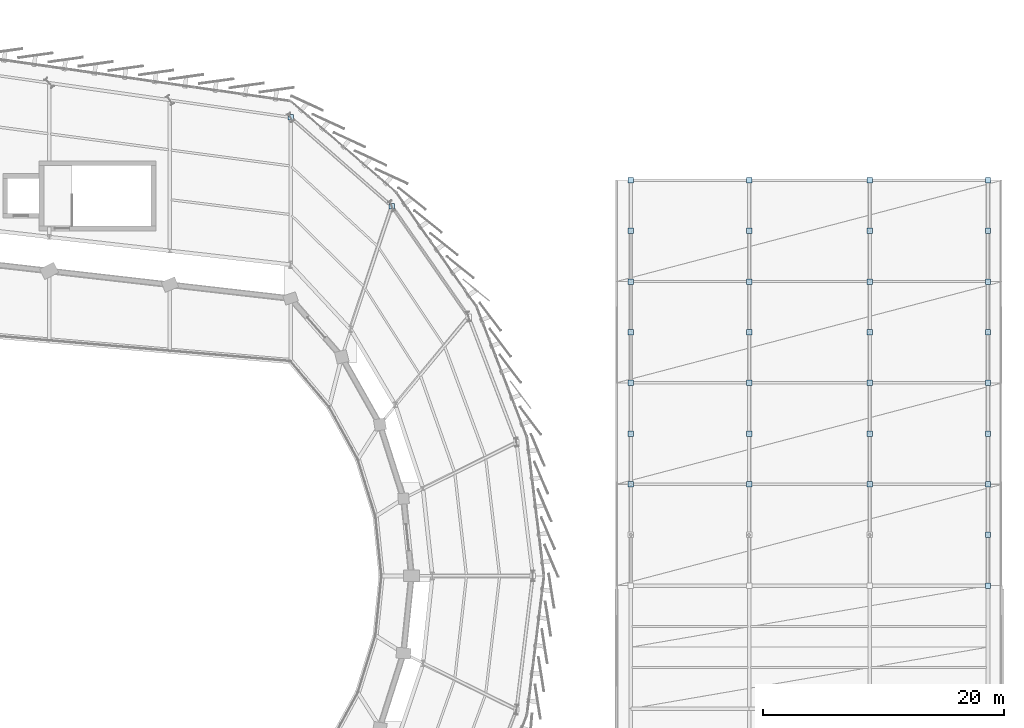
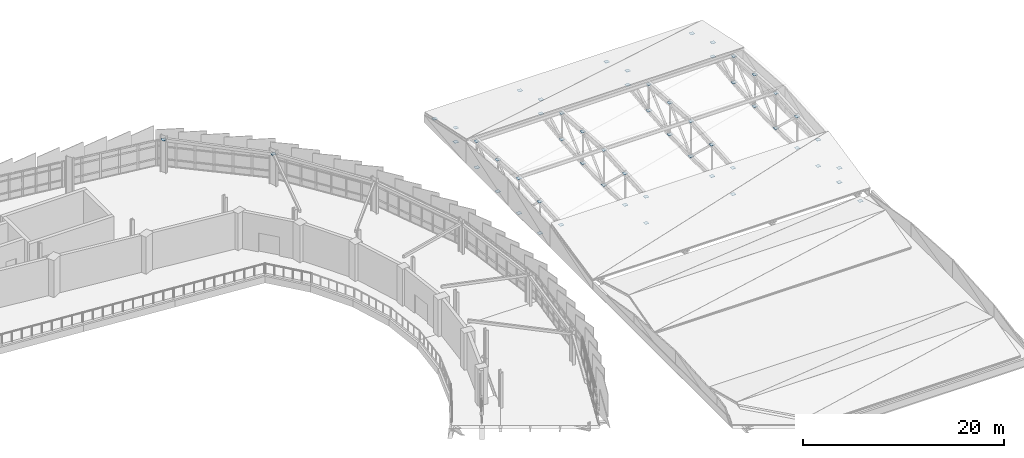
# One storey, part 73 of 87: 56 plates.
"""IFC4 building model written with IfcOpenShell, lengths in metres."""

from ifc_helpers import new_model, si_unit, direction, frame, origin, origin_2d, place, context, subcontext, project, spatial, rectangle, extrude, material, layer, layer_set, type_object, element, save


model = new_model("IFC4")

# Units and contexts
model_context = context("Model", 3, precision=1e-05, world=origin(), true_north=direction((0.0, 1.0)))
body_context = subcontext(model_context, "Body", "Model", "MODEL_VIEW")
ifc_project = project(units=[si_unit("LENGTHUNIT", "METRE"), si_unit("AREAUNIT", "SQUARE_METRE"), si_unit("VOLUMEUNIT", "CUBIC_METRE"), si_unit("PLANEANGLEUNIT", "RADIAN"), si_unit("MASSUNIT", "GRAM", prefix="KILO")], contexts=[model_context])

# Site, building, storey
site_placement = place(None, origin())
site = spatial("IfcSite", under=ifc_project, at=site_placement, CompositionType="ELEMENT")
building_placement = place(site_placement, origin())
building = spatial("IfcBuilding", under=site, at=building_placement, Name="Sohan Crest Arena", CompositionType="ELEMENT")
storey_placement = place(building_placement, frame((0.0, 0.0, 18.0)))
storey = spatial("IfcBuildingStorey", under=building, at=storey_placement, Name="L04", CompositionType="ELEMENT", Elevation=18.0)

# Plates
ifc_material = material(Name="Steel S355", Category="steel")
ifc_layer = layer(ifc_material, 0.031982421875, Name="Steel S355")
ifc_layer_set = layer_set([ifc_layer], Name="Steel S355")
plate_type = type_object("IfcPlateType", Name="STR-PL-BP01", PredefinedType="USERDEFINED", material=ifc_layer_set)
for number, where, z_axis, x_axis, name in (
    (1, (176.383056640625, 108.64501953125, 3.762451171875), (0.0, 0.0, 1.0), (1.0, 0.0, 0.0), "Hollow section end cap plate ECP-0195"),
    (2, (168.0, 116.0, 3.986572265625), (0.0, 0.0, 1.0), (1.0, 0.0, 0.0), "Hollow section end cap plate ECP-0196"),
    (3, (196.199951171875, 85.60009765625, 2.157470703125), (0.0, 0.0, 1.0), (1.0, 0.0, 0.0), "Hollow section end cap plate ECP-0217"),
    (4, (196.199951171875, 89.800048828125, -1.396484375), (0.0, 0.0, 1.0), (1.0, 0.0, 0.0), "Hollow section end cap plate ECP-0218"),
    (5, (196.199951171875, 89.800048828125, 2.45751953125), (0.0, 0.0, 1.0), (1.0, 0.0, 0.0), "Hollow section end cap plate ECP-0219"),
    (6, (196.199951171875, 94.0, -1.512451171875), (0.0, 0.0, 1.0), (1.0, 0.0, 0.0), "Hollow section end cap plate ECP-0220"),
    (7, (196.199951171875, 94.0, 2.757568359375), (0.0, 0.0, 1.0), (1.0, 0.0, 0.0), "Hollow section end cap plate ECP-0221"),
    (8, (196.199951171875, 98.199951171875, 2.45751953125), (0.0, 0.0, 1.0), (1.0, 0.0, 0.0), "Hollow section end cap plate ECP-0222"),
    (9, (196.199951171875, 98.199951171875, -1.396484375), (0.0, 0.0, 1.0), (1.0, 0.0, 0.0), "Hollow section end cap plate ECP-0223"),
    (10, (196.199951171875, 102.39990234375, 2.157470703125), (0.0, 0.0, 1.0), (1.0, 0.0, 0.0), "Hollow section end cap plate ECP-0224"),
    (11, (196.199951171875, 102.39990234375, -1.049560546875), (0.0, 0.0, 1.0), (1.0, 0.0, 0.0), "Hollow section end cap plate ECP-0225"),
    (12, (196.199951171875, 106.60009765625, 1.257568359375), (0.0, 0.0, 1.0), (1.0, 0.0, 0.0), "Hollow section end cap plate ECP-0226"),
    (13, (196.199951171875, 106.60009765625, -0.471435546875), (0.0, 0.0, 1.0), (1.0, 0.0, 0.0), "Hollow section end cap plate ECP-0227"),
    (14, (196.199951171875, 110.800048828125, -0.202392578125), (0.0, 0.0, 1.0), (1.0, 0.0, 0.0), "Hollow section end cap plate ECP-0228"),
    (15, (206.0, 85.60009765625, -1.049560546875), (0.0, 0.0, 1.0), (1.0, 0.0, 0.0), "Hollow section end cap plate ECP-0232"),
    (16, (206.0, 85.60009765625, 2.157470703125), (0.0, 0.0, 1.0), (1.0, 0.0, 0.0), "Hollow section end cap plate ECP-0233"),
    (17, (206.0, 89.800048828125, -1.396484375), (0.0, 0.0, 1.0), (1.0, 0.0, 0.0), "Hollow section end cap plate ECP-0234"),
    (18, (206.0, 89.800048828125, 2.45751953125), (0.0, 0.0, 1.0), (1.0, 0.0, 0.0), "Hollow section end cap plate ECP-0235"),
    (19, (206.0, 94.0, -1.512451171875), (0.0, 0.0, 1.0), (1.0, 0.0, 0.0), "Hollow section end cap plate ECP-0236"),
    (20, (206.0, 94.0, 2.757568359375), (0.0, 0.0, 1.0), (1.0, 0.0, 0.0), "Hollow section end cap plate ECP-0237"),
    (21, (206.0, 98.199951171875, 2.45751953125), (0.0, 0.0, 1.0), (1.0, 0.0, 0.0), "Hollow section end cap plate ECP-0238"),
    (22, (206.0, 98.199951171875, -1.396484375), (0.0, 0.0, 1.0), (1.0, 0.0, 0.0), "Hollow section end cap plate ECP-0239"),
    (23, (206.0, 102.39990234375, 2.157470703125), (0.0, 0.0, 1.0), (1.0, 0.0, 0.0), "Hollow section end cap plate ECP-0240"),
    (24, (206.0, 102.39990234375, -1.049560546875), (0.0, 0.0, 1.0), (1.0, 0.0, 0.0), "Hollow section end cap plate ECP-0241"),
    (25, (206.0, 106.60009765625, 1.257568359375), (0.0, 0.0, 1.0), (1.0, 0.0, 0.0), "Hollow section end cap plate ECP-0242"),
    (26, (206.0, 106.60009765625, -0.471435546875), (0.0, 0.0, 1.0), (1.0, 0.0, 0.0), "Hollow section end cap plate ECP-0243"),
    (27, (206.0, 110.800048828125, -0.202392578125), (0.0, 0.0, 1.0), (1.0, 0.0, 0.0), "Hollow section end cap plate ECP-0244"),
    (28, (216.0, 85.60009765625, -1.049560546875), (0.0, 0.0, 1.0), (1.0, 0.0, 0.0), "Hollow section end cap plate ECP-0248"),
    (29, (216.0, 85.60009765625, 2.157470703125), (0.0, 0.0, 1.0), (1.0, 0.0, 0.0), "Hollow section end cap plate ECP-0249"),
    (30, (216.0, 89.800048828125, -1.396484375), (0.0, 0.0, 1.0), (1.0, 0.0, 0.0), "Hollow section end cap plate ECP-0250"),
    (31, (216.0, 89.800048828125, 2.45751953125), (0.0, 0.0, 1.0), (1.0, 0.0, 0.0), "Hollow section end cap plate ECP-0251"),
    (32, (216.0, 94.0, -1.512451171875), (0.0, 0.0, 1.0), (1.0, 0.0, 0.0), "Hollow section end cap plate ECP-0252"),
    (33, (216.0, 94.0, 2.757568359375), (0.0, 0.0, 1.0), (1.0, 0.0, 0.0), "Hollow section end cap plate ECP-0253"),
    (34, (216.0, 98.199951171875, 2.45751953125), (0.0, 0.0, 1.0), (1.0, 0.0, 0.0), "Hollow section end cap plate ECP-0254"),
    (35, (216.0, 98.199951171875, -1.396484375), (0.0, 0.0, 1.0), (1.0, 0.0, 0.0), "Hollow section end cap plate ECP-0255"),
    (36, (216.0, 102.39990234375, 2.157470703125), (0.0, 0.0, 1.0), (1.0, 0.0, 0.0), "Hollow section end cap plate ECP-0256"),
    (37, (216.0, 102.39990234375, -1.049560546875), (0.0, 0.0, 1.0), (1.0, 0.0, 0.0), "Hollow section end cap plate ECP-0257"),
    (38, (216.0, 106.60009765625, 1.257568359375), (0.0, 0.0, 1.0), (1.0, 0.0, 0.0), "Hollow section end cap plate ECP-0258"),
    (39, (216.0, 106.60009765625, -0.471435546875), (0.0, 0.0, 1.0), (1.0, 0.0, 0.0), "Hollow section end cap plate ECP-0259"),
    (40, (216.0, 110.800048828125, -0.202392578125), (0.0, 0.0, 1.0), (1.0, 0.0, 0.0), "Hollow section end cap plate ECP-0260"),
    (41, (225.800048828125, 77.199951171875, -0.202392578125), (0.0, 0.0, 1.0), (1.0, 0.0, 0.0), "Hollow section end cap plate ECP-0261"),
    (42, (225.800048828125, 81.39990234375, 1.257568359375), (0.0, 0.0, 1.0), (1.0, 0.0, 0.0), "Hollow section end cap plate ECP-0262"),
    (43, (225.800048828125, 81.39990234375, -0.471435546875), (0.0, 0.0, 1.0), (1.0, 0.0, 0.0), "Hollow section end cap plate ECP-0263"),
    (44, (225.800048828125, 85.60009765625, -1.049560546875), (0.0, 0.0, 1.0), (1.0, 0.0, 0.0), "Hollow section end cap plate ECP-0264"),
    (45, (225.800048828125, 85.60009765625, 2.157470703125), (0.0, 0.0, 1.0), (1.0, 0.0, 0.0), "Hollow section end cap plate ECP-0265"),
    (46, (225.800048828125, 89.800048828125, -1.396484375), (0.0, 0.0, 1.0), (1.0, 0.0, 0.0), "Hollow section end cap plate ECP-0266"),
    (47, (225.800048828125, 89.800048828125, 2.45751953125), (0.0, 0.0, 1.0), (1.0, 0.0, 0.0), "Hollow section end cap plate ECP-0267"),
    (48, (225.800048828125, 94.0, -1.512451171875), (0.0, 0.0, 1.0), (1.0, 0.0, 0.0), "Hollow section end cap plate ECP-0268"),
    (49, (225.800048828125, 94.0, 2.757568359375), (0.0, 0.0, 1.0), (1.0, 0.0, 0.0), "Hollow section end cap plate ECP-0269"),
    (50, (225.800048828125, 98.199951171875, 2.45751953125), (0.0, 0.0, 1.0), (1.0, 0.0, 0.0), "Hollow section end cap plate ECP-0270"),
    (51, (225.800048828125, 98.199951171875, -1.396484375), (0.0, 0.0, 1.0), (1.0, 0.0, 0.0), "Hollow section end cap plate ECP-0271"),
    (52, (225.800048828125, 102.39990234375, 2.157470703125), (0.0, 0.0, 1.0), (1.0, 0.0, 0.0), "Hollow section end cap plate ECP-0272"),
    (53, (225.800048828125, 102.39990234375, -1.049560546875), (0.0, 0.0, 1.0), (1.0, 0.0, 0.0), "Hollow section end cap plate ECP-0273"),
    (54, (225.800048828125, 106.60009765625, 1.257568359375), (0.0, 0.0, 1.0), (1.0, 0.0, 0.0), "Hollow section end cap plate ECP-0274"),
    (55, (225.800048828125, 106.60009765625, -0.471435546875), (0.0, 0.0, 1.0), (1.0, 0.0, 0.0), "Hollow section end cap plate ECP-0275"),
    (56, (225.800048828125, 110.800048828125, -0.202392578125), (0.0, 0.0, 1.0), (1.0, 0.0, 0.0), "Hollow section end cap plate ECP-0276"),
):
    element("IfcPlate", number, at=place(storey_placement, frame(where, z_axis=z_axis, x_axis=x_axis)), inside=storey, type_object=plate_type, Name=name, ObjectType="BASE PLATE", PredefinedType="USERDEFINED", context=body_context, shape_type="SweptSolid", body=[
        extrude(rectangle(XDim=0.449951171875, YDim=0.449951171875, at=origin_2d()), origin(), (0.0, 0.0, 1.0), 0.02490234375),
    ])

save(model, "model.ifc")
